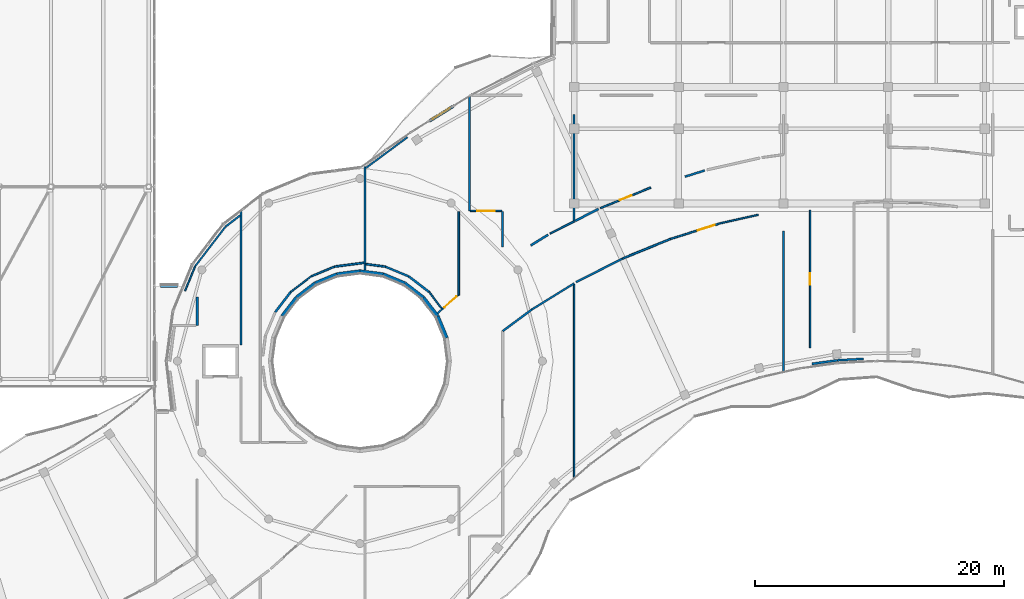
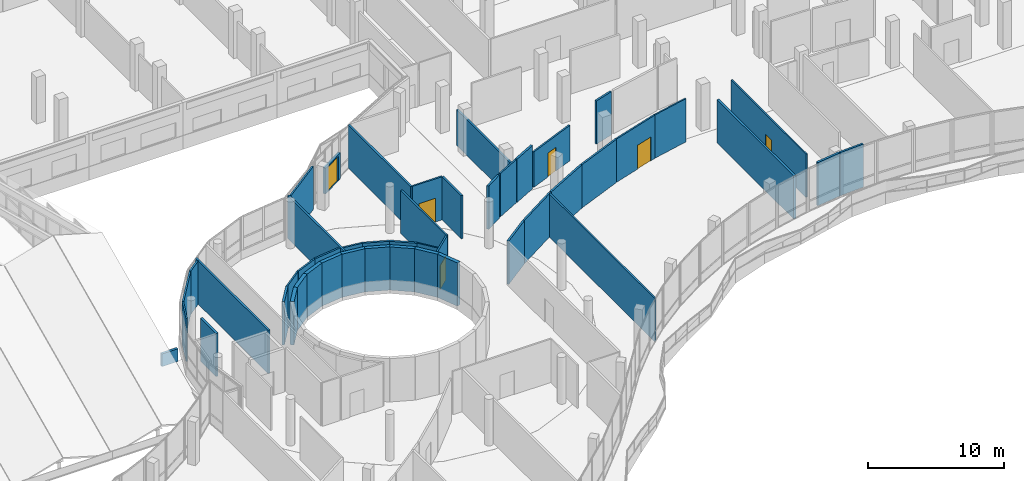
# One storey, part 163 of 184: 48 walls, 6 doors, 6 openings.
"""IFC4 building model written with IfcOpenShell, lengths in metres."""

from ifc_helpers import new_model, si_unit, direction, frame, frame_2d, origin, place, context, subcontext, project, spatial, rectangle, extrude, material, layer, layer_set, type_object, element, fill, save


model = new_model("IFC4")

# Units and contexts
model_context = context("Model", 3, precision=1e-05, world=origin(), true_north=direction((0.0, 1.0)))
body_context = subcontext(model_context, "Body", "Model", "MODEL_VIEW")
ifc_project = project(units=[si_unit("LENGTHUNIT", "METRE"), si_unit("AREAUNIT", "SQUARE_METRE"), si_unit("VOLUMEUNIT", "CUBIC_METRE"), si_unit("PLANEANGLEUNIT", "RADIAN"), si_unit("MASSUNIT", "GRAM", prefix="KILO")], contexts=[model_context])

# Site, building, storey
site_placement = place(None, origin())
site = spatial("IfcSite", under=ifc_project, at=site_placement, CompositionType="ELEMENT")
building_placement = place(site_placement, origin())
building = spatial("IfcBuilding", under=site, at=building_placement, Name="Selatvlak General Hospital", CompositionType="ELEMENT")
storey_placement = place(building_placement, frame((0.0, 0.0, 15.0)))
storey = spatial("IfcBuildingStorey", under=building, at=storey_placement, Name="L03", CompositionType="ELEMENT", Elevation=15.0)

# Walls
ifc_material_1 = material(Name="Precast concrete C40/50 - white fair-faced", Category="concrete")
ifc_layer_1 = layer(ifc_material_1, 0.300048828125, Name="Precast concrete C40/50 - white fair-faced", Category="concrete")
ifc_layer_set_1 = layer_set([ifc_layer_1], Name="Precast concrete C40/50 - white fair-faced")
wall_type_1 = type_object("IfcWallType", Name="WALL-EW-01", PredefinedType="SOLIDWALL", material=ifc_layer_set_1)
wall_1_placement = place(storey_placement, frame((101.60595703125, 60.22998046875, 0.0), z_axis=(0.0, 0.0, 1.0), x_axis=(-0.923330302292, 0.384006709406, 0.0)))
element("IfcWall", 1, at=wall_1_placement, inside=storey, type_object=wall_type_1, Name="L03 exterior wall 0402", PredefinedType="SOLIDWALL", context=body_context, shape_type="SweptSolid", body=[
    extrude(rectangle(XDim=1.8798828125, YDim=0.300048828125, at=frame_2d((0.93994140625, 0.0))), origin(), (0.0, 0.0, 1.0), 3.89501953125),
])
wall_2_placement = place(storey_placement, frame((99.8701171875, 60.951904296875, 0.0), z_axis=(0.0, 0.0, 1.0), x_axis=(-0.991311701137, 0.131533688416, 0.0)))
element("IfcWall", 2, at=wall_2_placement, inside=storey, type_object=wall_type_1, Name="L03 exterior wall 0403", PredefinedType="SOLIDWALL", context=body_context, shape_type="SweptSolid", body=[
    extrude(rectangle(XDim=1.87841796875, YDim=0.300048828125, at=frame_2d((0.939208984375, 0.0))), origin(), (0.0, 0.0, 1.0), 3.89501953125),
])
wall_3_placement = place(storey_placement, frame((98.008056640625, 61.198974609375, 0.0), z_axis=(0.0, 0.0, 1.0), x_axis=(-0.991606206969, -0.129294741965, 0.0)))
element("IfcWall", 3, at=wall_3_placement, inside=storey, type_object=wall_type_1, Name="L03 exterior wall 0404", PredefinedType="SOLIDWALL", context=body_context, shape_type="SweptSolid", body=[
    extrude(rectangle(XDim=1.87890625, YDim=0.300048828125, at=frame_2d((0.939453125, 0.0))), origin(), (0.0, 0.0, 1.0), 3.89501953125),
])
wall_4_placement = place(storey_placement, frame((96.14501953125, 60.9560546875, 0.0), z_axis=(0.0, 0.0, 1.0), x_axis=(-0.924236528401, -0.381820428435, 0.0)))
element("IfcWall", 4, at=wall_4_placement, inside=storey, type_object=wall_type_1, Name="L03 exterior wall 0405", PredefinedType="SOLIDWALL", context=body_context, shape_type="SweptSolid", body=[
    extrude(rectangle(XDim=1.880615234375, YDim=0.300048828125, at=frame_2d((0.9404296875, 0.0))), origin(), (0.0, 0.0, 1.0), 3.89501953125),
])
wall_5_placement = place(storey_placement, frame((94.406982421875, 60.238037109375, 0.0), z_axis=(0.0, 0.0, 1.0), x_axis=(-0.79405161161, -0.607850341861, 0.0)))
element("IfcWall", 5, at=wall_5_placement, inside=storey, type_object=wall_type_1, Name="L03 exterior wall 0406", PredefinedType="SOLIDWALL", context=body_context, shape_type="SweptSolid", body=[
    extrude(rectangle(XDim=1.87890625, YDim=0.300048828125, at=frame_2d((0.939453125, 0.0))), origin(), (0.0, 0.0, 1.0), 3.89501953125),
])
wall_6_placement = place(storey_placement, frame((92.9150390625, 59.095947265625, 0.0), z_axis=(0.0, 0.0, 1.0), x_axis=(-0.609333966613, -0.792913688324, 0.0)))
element("IfcWall", 6, at=wall_6_placement, inside=storey, type_object=wall_type_1, Name="L03 exterior wall 0407", PredefinedType="SOLIDWALL", context=body_context, shape_type="SweptSolid", body=[
    extrude(rectangle(XDim=1.879150390625, YDim=0.300048828125, at=frame_2d((0.939453125, 0.0))), origin(), (0.0, 0.0, 1.0), 3.89501953125),
])
wall_7_placement = place(storey_placement, frame((104.9560546875, 55.85498046875, 0.0), z_axis=(0.0, 0.0, 1.0), x_axis=(-0.381820428435, 0.924236528401, 0.0)))
element("IfcWall", 7, at=wall_7_placement, inside=storey, type_object=wall_type_1, Name="L03 exterior wall 0423", PredefinedType="SOLIDWALL", context=body_context, shape_type="SweptSolid", body=[
    extrude(rectangle(XDim=1.880615234375, YDim=0.300048828125, at=frame_2d((0.9404296875, 0.0))), origin(), (0.0, 0.0, 1.0), 3.89501953125),
])
wall_8_placement = place(storey_placement, frame((104.238037109375, 57.593017578125, 0.0), z_axis=(0.0, 0.0, 1.0), x_axis=(-0.607850341861, 0.79405161161, 0.0)))
element("IfcWall", 8, at=wall_8_placement, inside=storey, type_object=wall_type_1, Name="L03 exterior wall 0424", PredefinedType="SOLIDWALL", context=body_context, shape_type="SweptSolid", body=[
    extrude(rectangle(XDim=1.87890625, YDim=0.300048828125, at=frame_2d((0.939453125, 0.0))), origin(), (0.0, 0.0, 1.0), 3.89501953125),
])
wall_9_placement = place(storey_placement, frame((103.095947265625, 59.0849609375, 0.0), z_axis=(0.0, 0.0, 1.0), x_axis=(-0.792913688324, 0.609333966613, 0.0)))
element("IfcWall", 9, at=wall_9_placement, inside=storey, type_object=wall_type_1, Name="L03 exterior wall 0425", PredefinedType="SOLIDWALL", context=body_context, shape_type="SweptSolid", body=[
    extrude(rectangle(XDim=1.879150390625, YDim=0.300048828125, at=frame_2d((0.939453125, 0.0))), origin(), (0.0, 0.0, 1.0), 3.89501953125),
])

# Wall, opening, door
ifc_layer_2 = layer(ifc_material_1, 0.239990234375, Name="Precast concrete C40/50 - white fair-faced", Category="concrete")
ifc_layer_set_2 = layer_set([ifc_layer_2], Name="Precast concrete C40/50 - white fair-faced")
wall_type_2 = type_object("IfcWallType", Name="WALL-EW-04", PredefinedType="SOLIDWALL", material=ifc_layer_set_2)
wall_10_placement = place(storey_placement, frame((103.555908203125, 73.258056640625, 0.0), z_axis=(0.0, 0.0, 1.0), x_axis=(0.85044606758, 0.526062245498, 0.0)))
wall_10 = element("IfcWall", 10, at=wall_10_placement, inside=storey, type_object=wall_type_2, Name="L03 S-curve glazed balcony door frame 0387", PredefinedType="SOLIDWALL", context=body_context, shape_type="SweptSolid", body=[
    extrude(rectangle(XDim=2.300048828125, YDim=0.239990234375, at=frame_2d((1.14990234375, 0.0))), origin(), (0.0, 0.0, 1.0), 2.320068359375),
])
opening_1_placement = place(wall_10_placement, frame((0.35009765625, 0.0, 0.0)))
opening_1 = element("IfcOpeningElement", 11, at=opening_1_placement, cuts=wall_10, Name="Opening DE-05", PredefinedType="OPENING", context=body_context, shape_type="SweptSolid", body=[
    extrude(rectangle(XDim=1.60009765625, YDim=2.199951171875, at=frame_2d((0.800048828125, 1.10009765625))), frame((0.0, 0.1298828125, 0.0), z_axis=(0.0, -1.0, 0.0), x_axis=(1.0, 0.0, 0.0)), (0.0, 0.0, 1.0), 0.260009765625),
])
ifc_material_2 = material(Name="Anodised aluminium balcony double door", Category="aluminium")
door_type_1 = type_object("IfcDoorType", Name="DOOR-DE-05", OperationType="DOUBLE_DOOR_SINGLE_SWING", PredefinedType="DOOR", material=ifc_material_2)
door_1_placement = place(opening_1_placement, origin())
door_1 = element("IfcDoor", 12, at=door_1_placement, inside=storey, type_object=door_type_1, Name="L03 clinic balcony double door 29", OperationType="DOUBLE_DOOR_SINGLE_SWING", OverallHeight=2.199951171875, OverallWidth=1.60009765625, PredefinedType="DOOR", context=body_context, shape_type="SweptSolid", body=[
    extrude(rectangle(XDim=1.60009765625, YDim=2.199951171875, at=frame_2d((0.800048828125, 1.10009765625))), frame((0.0, 0.02490234375, 0.0), z_axis=(0.0, -1.0, 0.0), x_axis=(1.0, 0.0, 0.0)), (0.0, 0.0, 1.0), 0.050048828125),
])
fill(opening_1, door_1)

# Walls
ifc_layer_3 = layer(ifc_material_1, 0.199951171875, Name="Precast concrete C40/50 - white fair-faced", Category="concrete")
ifc_layer_set_3 = layer_set([ifc_layer_3], Name="Precast concrete C40/50 - white fair-faced")
wall_type_3 = type_object("IfcWallType", Name="WALL-PR-01", PredefinedType="PARAPET", material=ifc_layer_set_3)
wall_11_placement = place(storey_placement, frame((81.9990234375, 60.0, 0.050048828125), z_axis=(0.0, 0.0, 1.0), x_axis=(1.0, 0.0, 0.0)))
element("IfcWall", 13, at=wall_11_placement, inside=storey, type_object=wall_type_3, Name="L03 roof parapet upstand PAR-L03-033", PredefinedType="PARAPET", context=body_context, shape_type="SweptSolid", body=[
    extrude(rectangle(XDim=1.365966796875, YDim=0.199951171875, at=frame_2d((0.68310546875, 0.0))), origin(), (0.0, 0.0, 1.0), 1.14990234375),
])
ifc_material_3 = material(Name="Acoustic gypsum stud partition")
ifc_layer_4 = layer(ifc_material_3, 0.179931640625, Name="Acoustic gypsum stud partition")
ifc_layer_set_4 = layer_set([ifc_layer_4], Name="Acoustic gypsum stud partition")
wall_type_4 = type_object("IfcWallType", Name="WALL-PT-01", PredefinedType="PARTITIONING", material=ifc_layer_set_4)
wall_12_placement = place(storey_placement, frame((84.93994140625, 59.14892578125, 0.0), z_axis=(0.0, 0.0, 1.0), x_axis=(0.0, -1.0, 0.0)))
element("IfcWall", 14, at=wall_12_placement, inside=storey, type_object=wall_type_4, Name="L03 clinical partition PT-L03-1445", PredefinedType="PARTITIONING", context=body_context, shape_type="SweptSolid", body=[
    extrude(rectangle(XDim=2.288818359375, YDim=0.179931640625, at=frame_2d((1.14453125, 0.0))), origin(), (0.0, 0.0, 1.0), 3.89501953125),
])
for number, where, z_axis, x_axis, name in (
    (15, (92.448974609375, 59.551025390625, 0.0), (0.0, 0.0, 1.0), (-0.608581607729, -0.793491289639, 0.0), "L03 clinical partition PT-L03-1460"),
    (16, (103.551025390625, 59.551025390625, 0.0), (0.0, 0.0, 1.0), (-0.793491289639, 0.608581607729, 0.0), "L03 clinical partition PT-L03-1475"),
):
    element("IfcWall", number, at=place(storey_placement, frame(where, z_axis=z_axis, x_axis=x_axis)), inside=storey, type_object=wall_type_4, Name=name, PredefinedType="PARTITIONING", context=body_context, shape_type="SweptSolid", body=[
        extrude(rectangle(XDim=2.049072265625, YDim=0.179931640625, at=frame_2d((1.0244140625, 0.0))), origin(), (0.0, 0.0, 1.0), 3.89501953125),
    ])
wall_13_placement = place(storey_placement, frame((113.10693359375, 64.14208984375, 0.0), z_axis=(0.0, 0.0, 1.0), x_axis=(-0.850576382598, -0.525851516463, 0.0)))
element("IfcWall", 17, at=wall_13_placement, inside=storey, type_object=wall_type_4, Name="L03 clinical partition PT-L03-1488", PredefinedType="PARTITIONING", context=body_context, shape_type="SweptSolid", body=[
    extrude(rectangle(XDim=1.637451171875, YDim=0.179931640625, at=frame_2d((0.81884765625, 0.0))), origin(), (0.0, 0.0, 1.0), 3.89501953125),
])
wall_14_placement = place(storey_placement, frame((132.0, 64.43994140625, 0.0), z_axis=(0.0, 0.0, 1.0), x_axis=(0.0, -1.0, 0.0)))
element("IfcWall", 18, at=wall_14_placement, inside=storey, type_object=wall_type_4, Name="L03 clinical partition PT-L03-1495", PredefinedType="PARTITIONING", context=body_context, shape_type="SweptSolid", body=[
    extrude(rectangle(XDim=11.323974609375, YDim=0.179931640625, at=frame_2d((5.662109375, 0.0))), origin(), (0.0, 0.0, 1.0), 3.89501953125),
])
wall_15_placement = place(storey_placement, frame((117.15087890625, 66.2080078125, 0.0), z_axis=(0.0, 0.0, 1.0), x_axis=(-0.891125519008, -0.453756883554, 0.0)))
element("IfcWall", 19, at=wall_15_placement, inside=storey, type_object=wall_type_4, Name="L03 clinical partition PT-L03-1503", PredefinedType="PARTITIONING", context=body_context, shape_type="SweptSolid", body=[
    extrude(rectangle(XDim=2.1005859375, YDim=0.179931640625, at=frame_2d((1.05029296875, 0.0))), origin(), (0.0, 0.0, 1.0), 3.89501953125),
])
wall_16_placement = place(storey_placement, frame((134.282958984375, 53.77490234375, 0.0), z_axis=(0.0, 0.0, 1.0), x_axis=(0.990372536163, 0.138427741489, 0.0)))
element("IfcWall", 20, at=wall_16_placement, inside=storey, type_object=wall_type_4, Name="L03 clinical partition PT-L03-1505", PredefinedType="PARTITIONING", context=body_context, shape_type="SweptSolid", body=[
    extrude(rectangle(XDim=2.067138671875, YDim=0.179931640625, at=frame_2d((1.03369140625, 0.0))), origin(), (0.0, 0.0, 1.0), 3.89501953125),
])
ifc_layer_5 = layer(ifc_material_3, 0.1650390625, Name="Acoustic gypsum stud partition")
ifc_layer_set_5 = layer_set([ifc_layer_5], Name="Acoustic gypsum stud partition")
wall_type_5 = type_object("IfcWallType", Name="WALL-PT-02", PredefinedType="PARTITIONING", material=ifc_layer_set_5)
wall_17_placement = place(storey_placement, frame((88.4599609375, 55.280029296875, 0.0), z_axis=(0.0, 0.0, 1.0), x_axis=(0.0, 1.0, 0.0)))
element("IfcWall", 21, at=wall_17_placement, inside=storey, type_object=wall_type_5, Name="L03 clinical partition PT-L03-1441", PredefinedType="PARTITIONING", context=body_context, shape_type="SweptSolid", body=[
    extrude(rectangle(XDim=10.7548828125, YDim=0.1650390625, at=frame_2d((5.37744140625, 0.0))), origin(), (0.0, 0.0, 1.0), 3.89501953125),
])
wall_18_placement = place(storey_placement, frame((98.39990234375, 69.60205078125, 0.0), z_axis=(0.0, 0.0, 1.0), x_axis=(0.0, -1.0, 0.0)))
element("IfcWall", 22, at=wall_18_placement, inside=storey, type_object=wall_type_5, Name="L03 clinical partition PT-L03-1456", PredefinedType="PARTITIONING", context=body_context, shape_type="SweptSolid", body=[
    extrude(rectangle(XDim=8.30712890625, YDim=0.1650390625, at=frame_2d((4.153564453125, 0.0))), origin(), (0.0, 0.0, 1.0), 3.89501953125),
])
wall_19_placement = place(storey_placement, frame((106.800048828125, 75.2509765625, 0.0), z_axis=(0.0, 0.0, 1.0), x_axis=(0.0, -1.0, 0.0)))
element("IfcWall", 23, at=wall_19_placement, inside=storey, type_object=wall_type_5, Name="L03 clinical partition PT-L03-1471", PredefinedType="PARTITIONING", context=body_context, shape_type="SweptSolid", body=[
    extrude(rectangle(XDim=9.19091796875, YDim=0.1650390625, at=frame_2d((4.595458984375, 0.0))), origin(), (0.0, 0.0, 1.0), 3.89501953125),
])
wall_20_placement = place(storey_placement, frame((101.925048828125, 60.798095703125, 0.0), z_axis=(0.0, 0.0, 1.0), x_axis=(-0.923745197655, 0.383007584532, 0.0)))
element("IfcWall", 24, at=wall_20_placement, inside=storey, type_object=wall_type_5, Name="L03 clinical partition PT-L03-1476", PredefinedType="PARTITIONING", context=body_context, shape_type="SweptSolid", body=[
    extrude(rectangle(XDim=2.04931640625, YDim=0.1650390625, at=frame_2d((1.024658203125, 0.0))), origin(), (0.0, 0.0, 1.0), 3.89501953125),
])
wall_21_placement = place(storey_placement, frame((109.4599609375, 56.406005859375, 0.0), z_axis=(0.0, 0.0, 1.0), x_axis=(0.803833088097, 0.594854912125, 0.0)))
element("IfcWall", 25, at=wall_21_placement, inside=storey, type_object=wall_type_5, Name="L03 clinical partition PT-L03-1481", PredefinedType="PARTITIONING", context=body_context, shape_type="SweptSolid", body=[
    extrude(rectangle(XDim=2.914794921875, YDim=0.1650390625, at=frame_2d((1.45751953125, 0.0))), origin(), (0.0, 0.0, 1.0), 3.89501953125),
])
wall_22_placement = place(storey_placement, frame((115.199951171875, 73.7900390625, 0.0), z_axis=(0.0, 0.0, 1.0), x_axis=(0.0, -1.0, 0.0)))
element("IfcWall", 26, at=wall_22_placement, inside=storey, type_object=wall_type_5, Name="L03 clinical partition PT-L03-1486", PredefinedType="PARTITIONING", context=body_context, shape_type="SweptSolid", body=[
    extrude(rectangle(XDim=8.574951171875, YDim=0.1650390625, at=frame_2d((4.28759765625, 0.0))), origin(), (0.0, 0.0, 1.0), 3.2099609375),
])
wall_23_placement = place(storey_placement, frame((109.4599609375, 63.1630859375, 0.0), z_axis=(0.0, 0.0, 1.0), x_axis=(0.0, 1.0, 0.0)))
element("IfcWall", 27, at=wall_23_placement, inside=storey, type_object=wall_type_5, Name="L03 clinical partition PT-L03-1489", PredefinedType="PARTITIONING", context=body_context, shape_type="SweptSolid", body=[
    extrude(rectangle(XDim=2.8369140625, YDim=0.1650390625, at=frame_2d((1.41845703125, 0.0))), origin(), (0.0, 0.0, 1.0), 3.89501953125),
])
wall_24_placement = place(storey_placement, frame((115.35302734375, 60.333984375, 0.0), z_axis=(0.0, 0.0, 1.0), x_axis=(0.891282591813, 0.453448278782, 0.0)))
element("IfcWall", 28, at=wall_24_placement, inside=storey, type_object=wall_type_5, Name="L03 clinical partition PT-L03-1491", PredefinedType="PARTITIONING", context=body_context, shape_type="SweptSolid", body=[
    extrude(rectangle(XDim=4.1748046875, YDim=0.1650390625, at=frame_2d((2.08740234375, 0.0))), origin(), (0.0, 0.0, 1.0), 3.89501953125),
])
wall_25_placement = place(storey_placement, frame((125.679931640625, 69.301025390625, 0.0), z_axis=(0.0, 0.0, 1.0), x_axis=(-0.953945729363, -0.299979241664, 0.0)))
element("IfcWall", 29, at=wall_25_placement, inside=storey, type_object=wall_type_5, Name="L03 clinical partition PT-L03-1501", PredefinedType="PARTITIONING", context=body_context, shape_type="SweptSolid", body=[
    extrude(rectangle(XDim=1.66357421875, YDim=0.1650390625, at=frame_2d((0.831787109375, 0.0))), origin(), (0.0, 0.0, 1.0), 3.89501953125),
])
wall_26_placement = place(storey_placement, frame((136.35302734375, 54.06396484375, 0.0), z_axis=(0.0, 0.0, 1.0), x_axis=(0.998477747352, 0.055156033595, 0.0)))
element("IfcWall", 30, at=wall_26_placement, inside=storey, type_object=wall_type_5, Name="L03 clinical partition PT-L03-1506", PredefinedType="PARTITIONING", context=body_context, shape_type="SweptSolid", body=[
    extrude(rectangle(XDim=2.067138671875, YDim=0.1650390625, at=frame_2d((1.03369140625, 0.0))), origin(), (0.0, 0.0, 1.0), 3.89501953125),
])
ifc_layer_6 = layer(ifc_material_3, 0.14990234375, Name="Acoustic gypsum stud partition")
ifc_layer_set_6 = layer_set([ifc_layer_6], Name="Acoustic gypsum stud partition")
wall_type_6 = type_object("IfcWallType", Name="WALL-PT-03", PredefinedType="PARTITIONING", material=ifc_layer_set_6)
wall_27_placement = place(storey_placement, frame((88.381103515625, 65.68701171875, 0.0), z_axis=(0.0, 0.0, 1.0), x_axis=(-0.793081339459, -0.609115743519, 0.0)))
element("IfcWall", 31, at=wall_27_placement, inside=storey, type_object=wall_type_6, Name="L03 clinical partition PT-L03-1442", PredefinedType="PARTITIONING", context=body_context, shape_type="SweptSolid", body=[
    extrude(rectangle(XDim=1.4677734375, YDim=0.14990234375, at=frame_2d((0.73388671875, 0.0))), origin(), (0.0, 0.0, 1.0), 3.89501953125),
])
wall_28_placement = place(storey_placement, frame((98.322021484375, 61.89208984375, 0.0), z_axis=(0.0, 0.0, 1.0), x_axis=(-0.991489958529, -0.130183186839, 0.0)))
element("IfcWall", 32, at=wall_28_placement, inside=storey, type_object=wall_type_6, Name="L03 clinical partition PT-L03-1457", PredefinedType="PARTITIONING", context=body_context, shape_type="SweptSolid", body=[
    extrude(rectangle(XDim=2.374267578125, YDim=0.14990234375, at=frame_2d((1.18701171875, 0.0))), origin(), (0.0, 0.0, 1.0), 3.89501953125),
])
wall_29_placement = place(storey_placement, frame((105.93994140625, 66.0, 0.0), z_axis=(0.0, 0.0, 1.0), x_axis=(0.0, -1.0, 0.0)))
element("IfcWall", 33, at=wall_29_placement, inside=storey, type_object=wall_type_6, Name="L03 clinical partition PT-L03-1472", PredefinedType="PARTITIONING", context=body_context, shape_type="SweptSolid", body=[
    extrude(rectangle(XDim=6.699951171875, YDim=0.14990234375, at=frame_2d((3.35009765625, 0.0))), origin(), (0.0, 0.0, 1.0), 3.89501953125),
])
wall_30_placement = place(storey_placement, frame((100.031982421875, 61.5830078125, 0.0), z_axis=(0.0, 0.0, 1.0), x_axis=(-0.991473913665, 0.130305328065, 0.0)))
element("IfcWall", 34, at=wall_30_placement, inside=storey, type_object=wall_type_6, Name="L03 clinical partition PT-L03-1477", PredefinedType="PARTITIONING", context=body_context, shape_type="SweptSolid", body=[
    extrude(rectangle(XDim=1.56640625, YDim=0.14990234375, at=frame_2d((0.783203125, 0.0))), origin(), (0.0, 0.0, 1.0), 3.89501953125),
])
wall_31_placement = place(storey_placement, frame((111.802978515625, 58.139892578125, 0.0), z_axis=(0.0, 0.0, 1.0), x_axis=(0.850687032492, 0.525672495714, 0.0)))
element("IfcWall", 35, at=wall_31_placement, inside=storey, type_object=wall_type_6, Name="L03 clinical partition PT-L03-1482", PredefinedType="PARTITIONING", context=body_context, shape_type="SweptSolid", body=[
    extrude(rectangle(XDim=3.9931640625, YDim=0.14990234375, at=frame_2d((1.99658203125, 0.0))), origin(), (0.0, 0.0, 1.0), 3.89501953125),
])
wall_32_placement = place(storey_placement, frame((119.073974609375, 62.22705078125, 0.0), z_axis=(0.0, 0.0, 1.0), x_axis=(0.925752783847, 0.378129320736, 0.0)))
element("IfcWall", 36, at=wall_32_placement, inside=storey, type_object=wall_type_6, Name="L03 clinical partition PT-L03-1492", PredefinedType="PARTITIONING", context=body_context, shape_type="SweptSolid", body=[
    extrude(rectangle(XDim=4.1728515625, YDim=0.14990234375, at=frame_2d((2.08642578125, 0.0))), origin(), (0.0, 0.0, 1.0), 3.89501953125),
])
ifc_material_4 = material(Name="Moisture-resistant clinical partition")
ifc_layer_7 = layer(ifc_material_4, 0.135009765625, Name="Moisture-resistant clinical partition")
ifc_layer_set_7 = layer_set([ifc_layer_7], Name="Moisture-resistant clinical partition")
wall_type_7 = type_object("IfcWallType", Name="WALL-PT-04", PredefinedType="PARTITIONING", material=ifc_layer_set_7)
wall_33_placement = place(storey_placement, frame((87.2060546875, 64.781982421875, 0.0), z_axis=(0.0, 0.0, 1.0), x_axis=(-0.608806174349, -0.793319003979, 0.0)))
element("IfcWall", 37, at=wall_33_placement, inside=storey, type_object=wall_type_7, Name="L03 clinical partition PT-L03-1443", PredefinedType="PARTITIONING", context=body_context, shape_type="SweptSolid", body=[
    extrude(rectangle(XDim=3.966796875, YDim=0.135009765625, at=frame_2d((1.9833984375, 0.0))), origin(), (0.0, 0.0, 1.0), 3.89501953125),
])
wall_34_placement = place(storey_placement, frame((95.968017578125, 61.5830078125, 0.0), z_axis=(0.0, 0.0, 1.0), x_axis=(-0.923745197655, -0.383007584532, 0.0)))
element("IfcWall", 38, at=wall_34_placement, inside=storey, type_object=wall_type_7, Name="L03 clinical partition PT-L03-1458", PredefinedType="PARTITIONING", context=body_context, shape_type="SweptSolid", body=[
    extrude(rectangle(XDim=2.04931640625, YDim=0.135009765625, at=frame_2d((1.024658203125, 0.0))), origin(), (0.0, 0.0, 1.0), 3.89501953125),
])

# Wall, opening, door
wall_35_placement = place(storey_placement, frame((105.89794921875, 59.300048828125, 0.0), z_axis=(0.0, 0.0, 1.0), x_axis=(-0.751701560076, -0.65950342272, 0.0)))
wall_35 = element("IfcWall", 39, at=wall_35_placement, inside=storey, type_object=wall_type_7, Name="L03 clinical partition PT-L03-1473", PredefinedType="PARTITIONING", context=body_context, shape_type="SweptSolid", body=[
    extrude(rectangle(XDim=2.213623046875, YDim=0.135009765625, at=frame_2d((1.10693359375, 0.0))), origin(), (0.0, 0.0, 1.0), 3.89501953125),
])
opening_2_placement = place(wall_35_placement, frame((0.19091796875, 0.0, 0.0)))
opening_2 = element("IfcOpeningElement", 40, at=opening_2_placement, cuts=wall_35, Name="Opening D-09", PredefinedType="OPENING", context=body_context, shape_type="SweptSolid", body=[
    extrude(rectangle(XDim=1.300048828125, YDim=2.14990234375, at=frame_2d((0.64990234375, 1.074951171875))), frame((0.0, 0.077392578125, 0.0), z_axis=(0.0, -1.0, 0.0), x_axis=(1.0, 0.0, 0.0)), (0.0, 0.0, 1.0), 0.155029296875),
])
ifc_material_5 = material(Name="Outpatient procedure door")
door_type_2 = type_object("IfcDoorType", Name="DOOR-D-09", OperationType="NOTDEFINED", PredefinedType="DOOR", material=ifc_material_5)
door_2_placement = place(opening_2_placement, origin())
door_2 = element("IfcDoor", 41, at=door_2_placement, inside=storey, type_object=door_type_2, Name="L03 Renal Haemodialysis Suite 17 door", OperationType="SINGLE_SWING_RIGHT", OverallHeight=2.14990234375, OverallWidth=1.300048828125, PredefinedType="DOOR", context=body_context, shape_type="SweptSolid", body=[
    extrude(rectangle(XDim=1.300048828125, YDim=2.14990234375, at=frame_2d((0.64990234375, 1.074951171875))), frame((0.0, 0.02490234375, 0.0), z_axis=(0.0, -1.0, 0.0), x_axis=(1.0, 0.0, 0.0)), (0.0, 0.0, 1.0), 0.050048828125),
])
fill(opening_2, door_2)

# Walls
wall_36_placement = place(storey_placement, frame((98.47900390625, 69.5, 0.0), z_axis=(0.0, 0.0, 1.0), x_axis=(0.803937569327, 0.594713699711, 0.0)))
element("IfcWall", 42, at=wall_36_placement, inside=storey, type_object=wall_type_7, Name="L03 clinical partition PT-L03-1478", PredefinedType="PARTITIONING", context=body_context, shape_type="SweptSolid", body=[
    extrude(rectangle(XDim=4.148193359375, YDim=0.135009765625, at=frame_2d((2.07421875, 0.0))), origin(), (0.0, 0.0, 1.0), 3.89501953125),
])
wall_37_placement = place(storey_placement, frame((115.199951171875, 60.156005859375, 0.0), z_axis=(0.0, 0.0, 1.0), x_axis=(0.0, -1.0, 0.0)))
element("IfcWall", 43, at=wall_37_placement, inside=storey, type_object=wall_type_7, Name="L03 clinical partition PT-L03-1483", PredefinedType="PARTITIONING", context=body_context, shape_type="SweptSolid", body=[
    extrude(rectangle(XDim=15.555908203125, YDim=0.135009765625, at=frame_2d((7.77783203125, 0.0))), origin(), (0.0, 0.0, 1.0), 3.89501953125),
])
wall_38_placement = place(storey_placement, frame((115.199951171875, 65.215087890625, 0.0), z_axis=(0.0, 0.0, 1.0), x_axis=(-0.891321133159, -0.45337251525, 0.0)))
element("IfcWall", 44, at=wall_38_placement, inside=storey, type_object=wall_type_7, Name="L03 clinical partition PT-L03-1487", PredefinedType="PARTITIONING", context=body_context, shape_type="SweptSolid", body=[
    extrude(rectangle(XDim=2.16845703125, YDim=0.135009765625, at=frame_2d((1.084228515625, 0.0))), origin(), (0.0, 0.0, 1.0), 3.89501953125),
])

# Wall, opening, door
wall_39_placement = place(storey_placement, frame((109.39990234375, 66.06005859375, 0.0), z_axis=(0.0, 0.0, 1.0), x_axis=(-1.0, 0.0, 0.0)))
wall_39 = element("IfcWall", 45, at=wall_39_placement, inside=storey, type_object=wall_type_7, Name="L03 clinical partition PT-L03-1490", PredefinedType="PARTITIONING", context=body_context, shape_type="SweptSolid", body=[
    extrude(rectangle(XDim=2.52099609375, YDim=0.135009765625, at=frame_2d((1.260498046875, 0.0))), origin(), (0.0, 0.0, 1.0), 3.89501953125),
])
opening_3_placement = place(wall_39_placement, frame((0.56103515625, 0.0, 0.0)))
opening_3 = element("IfcOpeningElement", 46, at=opening_3_placement, cuts=wall_39, Name="Opening D-11", PredefinedType="OPENING", context=body_context, shape_type="SweptSolid", body=[
    extrude(rectangle(XDim=1.39990234375, YDim=2.14990234375, at=frame_2d((0.699951171875, 1.074951171875))), frame((0.0, 0.077392578125, 0.0), z_axis=(0.0, -1.0, 0.0), x_axis=(1.0, 0.0, 0.0)), (0.0, 0.0, 1.0), 0.155029296875),
])
ifc_material_6 = material(Name="Inpatient suite bed door")
door_type_3 = type_object("IfcDoorType", Name="DOOR-D-11", OperationType="NOTDEFINED", PredefinedType="DOOR", material=ifc_material_6)
door_3_placement = place(opening_3_placement, origin())
door_3 = element("IfcDoor", 47, at=door_3_placement, inside=storey, type_object=door_type_3, Name="L03 OT Laminar Flow AHU Plant 19 door", OperationType="SINGLE_SWING_RIGHT", OverallHeight=2.14990234375, OverallWidth=1.39990234375, PredefinedType="DOOR", context=body_context, shape_type="SweptSolid", body=[
    extrude(rectangle(XDim=1.39990234375, YDim=2.14990234375, at=frame_2d((0.699951171875, 1.074951171875))), frame((0.0, 0.02490234375, 0.0), z_axis=(0.0, -1.0, 0.0), x_axis=(1.0, 0.0, 0.0)), (0.0, 0.0, 1.0), 0.050048828125),
])
fill(opening_3, door_3)

wall_40_placement = place(storey_placement, frame((122.93701171875, 63.804931640625, 0.0), z_axis=(0.0, 0.0, 1.0), x_axis=(0.95393919747, 0.300000012549, 0.0)))
wall_40 = element("IfcWall", 48, at=wall_40_placement, inside=storey, type_object=wall_type_7, Name="L03 clinical partition PT-L03-1493", PredefinedType="PARTITIONING", context=body_context, shape_type="SweptSolid", body=[
    extrude(rectangle(XDim=4.173095703125, YDim=0.135009765625, at=frame_2d((2.08642578125, 0.0))), origin(), (0.0, 0.0, 1.0), 3.89501953125),
])
opening_4_placement = place(wall_40_placement, frame((2.280029296875, 0.0, 0.0)))
opening_4 = element("IfcOpeningElement", 49, at=opening_4_placement, cuts=wall_40, Name="Opening D-12", PredefinedType="OPENING", context=body_context, shape_type="SweptSolid", body=[
    extrude(rectangle(XDim=1.449951171875, YDim=2.14990234375, at=frame_2d((0.72509765625, 1.074951171875))), frame((0.0, 0.077392578125, 0.0), z_axis=(0.0, -1.0, 0.0), x_axis=(1.0, 0.0, 0.0)), (0.0, 0.0, 1.0), 0.155029296875),
])
ifc_material_7 = material(Name="Isolation anteroom door")
door_type_4 = type_object("IfcDoorType", Name="DOOR-D-12", OperationType="NOTDEFINED", PredefinedType="DOOR", material=ifc_material_7)
door_4_placement = place(opening_4_placement, origin())
door_4 = element("IfcDoor", 50, at=door_4_placement, inside=storey, type_object=door_type_4, Name="L03 Renal Haemodialysis Suite 20 door", OperationType="SINGLE_SWING_LEFT", OverallHeight=2.14990234375, OverallWidth=1.449951171875, PredefinedType="DOOR", context=body_context, shape_type="SweptSolid", body=[
    extrude(rectangle(XDim=1.449951171875, YDim=2.14990234375, at=frame_2d((0.72509765625, 1.074951171875))), frame((0.0, 0.02490234375, 0.0), z_axis=(0.0, -1.0, 0.0), x_axis=(1.0, 0.0, 0.0)), (0.0, 0.0, 1.0), 0.050048828125),
])
fill(opening_4, door_4)

wall_41_placement = place(storey_placement, frame((121.35009765625, 67.931884765625, 0.0), z_axis=(0.0, 0.0, 1.0), x_axis=(-0.925632511798, -0.378423642368, 0.0)))
wall_41 = element("IfcWall", 51, at=wall_41_placement, inside=storey, type_object=wall_type_7, Name="L03 clinical partition PT-L03-1502", PredefinedType="PARTITIONING", context=body_context, shape_type="SweptSolid", body=[
    extrude(rectangle(XDim=4.362548828125, YDim=0.135009765625, at=frame_2d((2.18115234375, 0.0))), origin(), (0.0, 0.0, 1.0), 3.195068359375),
])
opening_5_placement = place(wall_41_placement, frame((1.680908203125, 0.0, 0.0)))
opening_5 = element("IfcOpeningElement", 52, at=opening_5_placement, cuts=wall_41, Name="Opening D-21", PredefinedType="OPENING", context=body_context, shape_type="SweptSolid", body=[
    extrude(rectangle(XDim=1.0, YDim=2.14990234375, at=frame_2d((0.5, 1.074951171875))), frame((0.0, 0.077392578125, 0.0), z_axis=(0.0, -1.0, 0.0), x_axis=(1.0, 0.0, 0.0)), (0.0, 0.0, 1.0), 0.155029296875),
])
ifc_material_8 = material(Name="Laboratory fire door")
door_type_5 = type_object("IfcDoorType", Name="DOOR-D-21", OperationType="NOTDEFINED", PredefinedType="DOOR", material=ifc_material_8)
door_5_placement = place(opening_5_placement, origin())
door_5 = element("IfcDoor", 53, at=door_5_placement, inside=storey, type_object=door_type_5, Name="L03 Medical Vacuum Plant Room 21 door", OperationType="SINGLE_SWING_RIGHT", OverallHeight=2.14990234375, OverallWidth=1.0, PredefinedType="DOOR", context=body_context, shape_type="SweptSolid", body=[
    extrude(rectangle(XDim=1.0, YDim=2.14990234375, at=frame_2d((0.5, 1.074951171875))), frame((0.0, 0.02490234375, 0.0), z_axis=(0.0, -1.0, 0.0), x_axis=(1.0, 0.0, 0.0)), (0.0, 0.0, 1.0), 0.050048828125),
])
fill(opening_5, door_5)

# Walls
ifc_layer_8 = layer(ifc_material_4, 0.1201171875, Name="Moisture-resistant clinical partition")
ifc_layer_set_8 = layer_set([ifc_layer_8], Name="Moisture-resistant clinical partition")
wall_type_8 = type_object("IfcWallType", Name="WALL-PT-05", PredefinedType="PARTITIONING", material=ifc_layer_set_8)
wall_42_placement = place(storey_placement, frame((84.782958984375, 61.62109375, 0.0), z_axis=(0.0, 0.0, 1.0), x_axis=(-0.382589305367, -0.923918515573, 0.0)))
element("IfcWall", 54, at=wall_42_placement, inside=storey, type_object=wall_type_8, Name="L03 clinical partition PT-L03-1444", PredefinedType="PARTITIONING", context=body_context, shape_type="SweptSolid", body=[
    extrude(rectangle(XDim=2.148681640625, YDim=0.1201171875, at=frame_2d((1.07421875, 0.0))), origin(), (0.0, 0.0, 1.0), 3.89501953125),
])
wall_43_placement = place(storey_placement, frame((94.074951171875, 60.798095703125, 0.0), z_axis=(0.0, 0.0, 1.0), x_axis=(-0.793491289639, -0.608581607729, 0.0)))
element("IfcWall", 55, at=wall_43_placement, inside=storey, type_object=wall_type_8, Name="L03 clinical partition PT-L03-1459", PredefinedType="PARTITIONING", context=body_context, shape_type="SweptSolid", body=[
    extrude(rectangle(XDim=2.049072265625, YDim=0.1201171875, at=frame_2d((1.0244140625, 0.0))), origin(), (0.0, 0.0, 1.0), 3.89501953125),
])
wall_44_placement = place(storey_placement, frame((104.571044921875, 58.220947265625, 0.0), z_axis=(0.0, 0.0, 1.0), x_axis=(-0.60854161906, 0.793521958028, 0.0)))
element("IfcWall", 56, at=wall_44_placement, inside=storey, type_object=wall_type_8, Name="L03 clinical partition PT-L03-1474", PredefinedType="PARTITIONING", context=body_context, shape_type="SweptSolid", body=[
    extrude(rectangle(XDim=1.67626953125, YDim=0.1201171875, at=frame_2d((0.838134765625, 0.0))), origin(), (0.0, 0.0, 1.0), 3.89501953125),
])
wall_45_placement = place(storey_placement, frame((126.91796875, 65.056884765625, 0.0), z_axis=(0.0, 0.0, 1.0), x_axis=(0.975537780093, 0.219831843942, 0.0)))
element("IfcWall", 57, at=wall_45_placement, inside=storey, type_object=wall_type_8, Name="L03 clinical partition PT-L03-1494", PredefinedType="PARTITIONING", context=body_context, shape_type="SweptSolid", body=[
    extrude(rectangle(XDim=3.14404296875, YDim=0.1201171875, at=frame_2d((1.572021484375, 0.0))), origin(), (0.0, 0.0, 1.0), 3.89501953125),
])

# Wall, opening, door
wall_46_placement = place(storey_placement, frame((134.139892578125, 66.10888671875, 0.0), z_axis=(0.0, 0.0, 1.0), x_axis=(0.0, -1.0, 0.0)))
wall_46 = element("IfcWall", 58, at=wall_46_placement, inside=storey, type_object=wall_type_8, Name="L03 clinical partition PT-L03-1504", PredefinedType="PARTITIONING", context=body_context, shape_type="SweptSolid", body=[
    extrude(rectangle(XDim=11.0458984375, YDim=0.1201171875, at=frame_2d((5.52294921875, 0.0))), origin(), (0.0, 0.0, 1.0), 3.89501953125),
])
opening_6_placement = place(wall_46_placement, frame((5.072998046875, 0.0, 0.0)))
opening_6 = element("IfcOpeningElement", 59, at=opening_6_placement, cuts=wall_46, Name="Opening D-01", PredefinedType="OPENING", context=body_context, shape_type="SweptSolid", body=[
    extrude(rectangle(XDim=0.89990234375, YDim=2.10009765625, at=frame_2d((0.449951171875, 1.050048828125))), frame((0.0, 0.070068359375, 0.0), z_axis=(0.0, -1.0, 0.0), x_axis=(1.0, 0.0, 0.0)), (0.0, 0.0, 1.0), 0.14013671875),
])
ifc_material_9 = material(Name="Hardwood clinical room door", Category="wood")
door_type_6 = type_object("IfcDoorType", Name="DOOR-D-01", OperationType="NOTDEFINED", PredefinedType="DOOR", material=ifc_material_9)
door_6_placement = place(opening_6_placement, origin())
door_6 = element("IfcDoor", 60, at=door_6_placement, inside=storey, type_object=door_type_6, Name="L03 Day Oncology Chemotherapy Lounge 22 door", OperationType="SINGLE_SWING_LEFT", OverallHeight=2.10009765625, OverallWidth=0.89990234375, PredefinedType="DOOR", context=body_context, shape_type="SweptSolid", body=[
    extrude(rectangle(XDim=0.89990234375, YDim=2.10009765625, at=frame_2d((0.449951171875, 1.050048828125))), frame((0.0, 0.02490234375, 0.0), z_axis=(0.0, -1.0, 0.0), x_axis=(1.0, 0.0, 0.0)), (0.0, 0.0, 1.0), 0.050048828125),
])
fill(opening_6, door_6)

save(model, "model.ifc")
